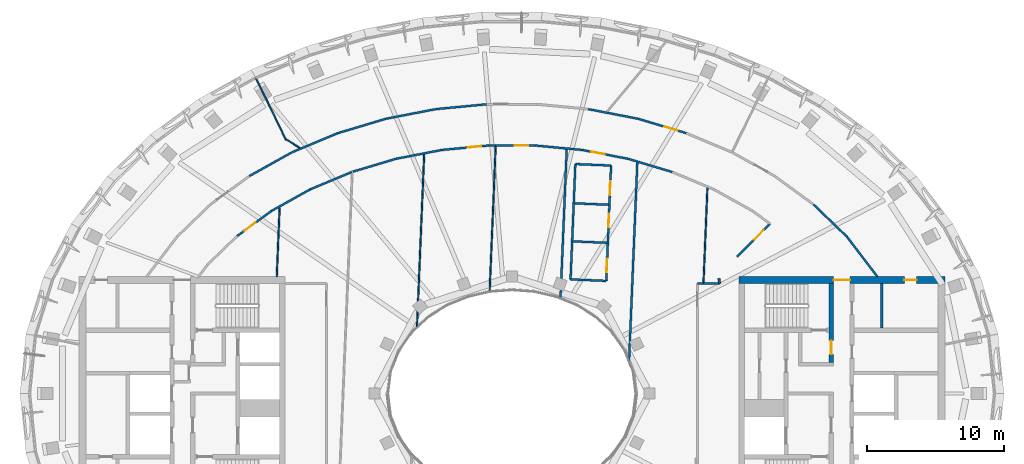
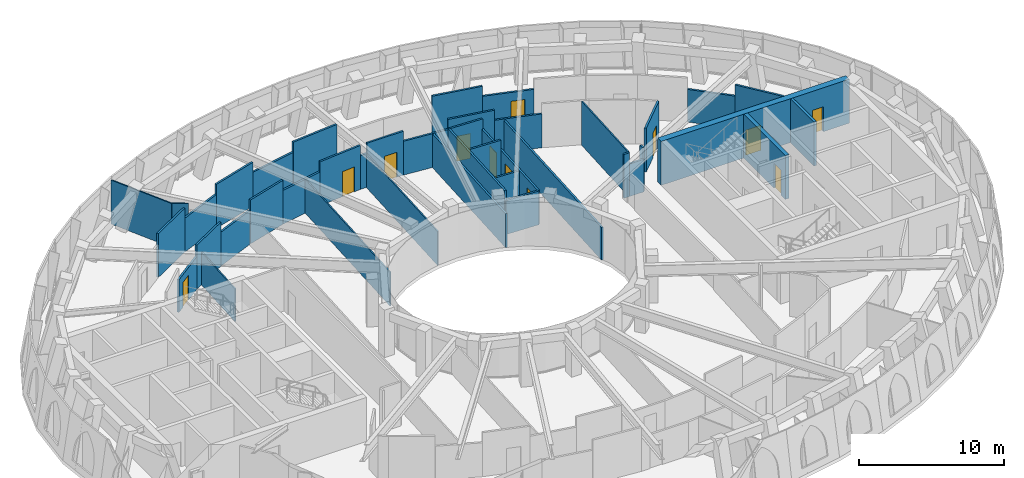
# One storey, part 6 of 14: 41 walls, 12 doors, 12 openings.
"""IFC4 building model written with IfcOpenShell, lengths in metres."""

from ifc_helpers import new_model, si_unit, direction, frame, frame_2d, origin, place, context, subcontext, project, spatial, rectangle, extrude, material, layer, layer_set, type_object, element, fill, save


model = new_model("IFC4")

# Units and contexts
model_context = context("Model", 3, precision=1e-05, world=origin(), true_north=direction((0.0, 1.0)))
body_context = subcontext(model_context, "Body", "Model", "MODEL_VIEW")
ifc_project = project(units=[si_unit("LENGTHUNIT", "METRE"), si_unit("AREAUNIT", "SQUARE_METRE"), si_unit("VOLUMEUNIT", "CUBIC_METRE"), si_unit("PLANEANGLEUNIT", "RADIAN"), si_unit("MASSUNIT", "GRAM", prefix="KILO")], contexts=[model_context])

# Site, building, storey
site_placement = place(None, origin())
site = spatial("IfcSite", under=ifc_project, at=site_placement, CompositionType="ELEMENT")
building_placement = place(site_placement, origin())
building = spatial("IfcBuilding", under=site, at=building_placement, Name="Noorbagh Ring Tower", CompositionType="ELEMENT")
storey_placement = place(building_placement, frame((0.0, 0.0, 335.0)))
storey = spatial("IfcBuildingStorey", under=building, at=storey_placement, Name="L73", CompositionType="ELEMENT", Elevation=335.0)

# Wall
ifc_material_1 = material(Name="Gypsum board on steel studs", Category="steel")
ifc_layer_1 = layer(ifc_material_1, 0.199951171875)
ifc_layer_set_1 = layer_set([ifc_layer_1], Name="Gypsum board on steel studs")
wall_type_1 = type_object("IfcWallType", Name="CORE-PARTITION-200", PredefinedType="PARTITIONING", material=ifc_layer_set_1)
wall_1_placement = place(storey_placement, frame((26.89990234375, 4.75, 0.0), z_axis=(0.0, 0.0, 1.0), x_axis=(0.0, 1.0, 0.0)))
element("IfcWall", 1, at=wall_1_placement, inside=storey, type_object=wall_type_1, Name="Core partition E", PredefinedType="PARTITIONING", context=body_context, shape_type="SweptSolid", body=[
    extrude(rectangle(XDim=3.25, YDim=0.199951171875, at=frame_2d((1.625, 0.0))), origin(), (0.0, 0.0, 1.0), 3.699951171875),
])

# Wall, opening, door
ifc_material_2 = material(Name="Concrete C50/60", Category="concrete")
ifc_layer_2 = layer(ifc_material_2, 0.300048828125)
ifc_layer_set_2 = layer_set([ifc_layer_2], Name="Concrete C50/60")
wall_type_2 = type_object("IfcWallType", Name="CORE-WALL-300-C50-60-EI240", PredefinedType="SHEAR", material=ifc_layer_set_2)
wall_2_placement = place(storey_placement, frame((23.22998046875, 2.25, 0.0), z_axis=(0.0, 0.0, 1.0), x_axis=(0.0, 1.0, 0.0)))
wall_2 = element("IfcWall", 2, at=wall_2_placement, inside=storey, type_object=wall_type_2, Name="Core wall E", PredefinedType="SHEAR", context=body_context, shape_type="SweptSolid", body=[
    extrude(rectangle(XDim=5.75, YDim=0.300048828125, at=frame_2d((2.875, 0.0))), origin(), (0.0, 0.0, 1.0), 3.699951171875),
])
opening_1_placement = place(wall_2_placement, frame((0.60009765625, 0.0, 0.0)))
opening_1 = element("IfcOpeningElement", 3, at=opening_1_placement, cuts=wall_2, Name="Opening L73-CE07", PredefinedType="OPENING", context=body_context, shape_type="SweptSolid", body=[
    extrude(rectangle(XDim=1.0, YDim=2.10009765625, at=frame_2d((0.5, 1.050048828125))), frame((0.0, 0.16015625, 0.0), z_axis=(0.0, -1.0, 0.0), x_axis=(1.0, 0.0, 0.0)), (0.0, 0.0, 1.0), 0.320068359375),
])
ifc_material_3 = material(Name="Steel door leaf", Category="steel")
door_type_1 = type_object("IfcDoorType", Name="CORE-DOOR-DVEST", OperationType="SINGLE_SWING_LEFT", PredefinedType="DOOR", material=ifc_material_3)
door_1_placement = place(opening_1_placement, origin())
door_1 = element("IfcDoor", 4, at=door_1_placement, inside=storey, type_object=door_type_1, Name="Stair vestibule door L73-CE07", OperationType="SINGLE_SWING_RIGHT", OverallHeight=2.10009765625, OverallWidth=1.0, PredefinedType="DOOR", context=body_context, shape_type="SweptSolid", body=[
    extrude(rectangle(XDim=1.0, YDim=2.10009765625, at=frame_2d((0.5, 1.050048828125))), frame((0.0, 0.02490234375, 0.0), z_axis=(0.0, -1.0, 0.0), x_axis=(1.0, 0.0, 0.0)), (0.0, 0.0, 1.0), 0.050048828125),
])
fill(opening_1, door_1)

# Wall, openings, doors
ifc_material_4 = material(Name="Concrete C50/60", Category="concrete")
ifc_layer_3 = layer(ifc_material_4, 0.5)
ifc_layer_set_3 = layer_set([ifc_layer_3], Name="Concrete C50/60")
wall_type_3 = type_object("IfcWallType", Name="CORE-WALL-500-C50-60-EI240", PredefinedType="SHEAR", material=ifc_layer_set_3)
wall_3_placement = place(storey_placement, frame((16.5, 8.25, 0.0), z_axis=(0.0, 0.0, 1.0), x_axis=(1.0, 0.0, 0.0)))
wall_3 = element("IfcWall", 5, at=wall_3_placement, inside=storey, type_object=wall_type_3, Name="Core wall E", PredefinedType="SHEAR", context=body_context, shape_type="SweptSolid", body=[
    extrude(rectangle(XDim=15.0, YDim=0.5, at=frame_2d((7.5, 0.0))), origin(), (0.0, 0.0, 1.0), 3.699951171875),
])
opening_2_placement = place(wall_3_placement, frame((6.89990234375, 0.0, 0.0)))
opening_2 = element("IfcOpeningElement", 6, at=opening_2_placement, cuts=wall_3, Name="Opening L73-CE08", PredefinedType="OPENING", context=body_context, shape_type="SweptSolid", body=[
    extrude(rectangle(XDim=1.199951171875, YDim=2.10009765625, at=frame_2d((0.60009765625, 1.050048828125))), frame((0.0, 0.260009765625, 0.0), z_axis=(0.0, -1.0, 0.0), x_axis=(1.0, 0.0, 0.0)), (0.0, 0.0, 1.0), 0.52001953125),
])
opening_3_placement = place(wall_3_placement, frame((12.050048828125, 0.0, 0.0)))
opening_3 = element("IfcOpeningElement", 7, at=opening_3_placement, cuts=wall_3, Name="Opening L73-CE14", PredefinedType="OPENING", context=body_context, shape_type="SweptSolid", body=[
    extrude(rectangle(XDim=0.89990234375, YDim=2.10009765625, at=frame_2d((0.449951171875, 1.050048828125))), frame((0.0, 0.260009765625, 0.0), z_axis=(0.0, -1.0, 0.0), x_axis=(1.0, 0.0, 0.0)), (0.0, 0.0, 1.0), 0.52001953125),
])
ifc_material_5 = material(Name="Steel door leaf", Category="steel")
door_type_2 = type_object("IfcDoorType", Name="CORE-DOOR-DROOM", OperationType="SINGLE_SWING_LEFT", PredefinedType="DOOR", material=ifc_material_5)
door_2_placement = place(opening_3_placement, origin())
door_2 = element("IfcDoor", 8, at=door_2_placement, inside=storey, type_object=door_type_2, Name="Core room door L73-CE14", OperationType="SINGLE_SWING_LEFT", OverallHeight=2.10009765625, OverallWidth=0.89990234375, PredefinedType="DOOR", context=body_context, shape_type="SweptSolid", body=[
    extrude(rectangle(XDim=0.89990234375, YDim=2.10009765625, at=frame_2d((0.449951171875, 1.050048828125))), frame((0.0, 0.02490234375, 0.0), z_axis=(0.0, -1.0, 0.0), x_axis=(1.0, 0.0, 0.0)), (0.0, 0.0, 1.0), 0.050048828125),
])
fill(opening_3, door_2)
ifc_material_6 = material(Name="Steel door leaf", Category="steel")
door_type_3 = type_object("IfcDoorType", Name="CORE-DOOR-PORT", OperationType="DOUBLE_DOOR_DOUBLE_SWING", PredefinedType="DOOR", material=ifc_material_6)
door_3_placement = place(opening_2_placement, origin())
door_3 = element("IfcDoor", 9, at=door_3_placement, inside=storey, type_object=door_type_3, Name="Core entrance door L73-CE08", OperationType="DOUBLE_DOOR_DOUBLE_SWING", OverallHeight=2.10009765625, OverallWidth=1.199951171875, PredefinedType="DOOR", context=body_context, shape_type="SweptSolid", body=[
    extrude(rectangle(XDim=1.199951171875, YDim=2.10009765625, at=frame_2d((0.60009765625, 1.050048828125))), frame((0.0, 0.02490234375, 0.0), z_axis=(0.0, -1.0, 0.0), x_axis=(1.0, 0.0, 0.0)), (0.0, 0.0, 1.0), 0.050048828125),
])
fill(opening_2, door_3)

# Wall, opening, door
ifc_material_7 = material(Name="Gypsum board on steel studs", Category="steel")
ifc_layer_4 = layer(ifc_material_7, 0.14990234375)
ifc_layer_set_4 = layer_set([ifc_layer_4], Name="Gypsum board on steel studs")
wall_type_4 = type_object("IfcWallType", Name="CORRIDOR PARTITION 150 EI 30", PredefinedType="PARTITIONING", material=ifc_layer_set_4)
wall_4_placement = place(storey_placement, frame((-19.9951171875, 11.45703125, 0.0), z_axis=(0.0, 0.0, 1.0), x_axis=(0.806983588604, 0.590573863055, 0.0)))
wall_4 = element("IfcWall", 10, at=wall_4_placement, inside=storey, type_object=wall_type_4, Name="L73/wall/P11", PredefinedType="PARTITIONING", context=body_context, shape_type="SweptSolid", body=[
    extrude(rectangle(XDim=3.0966796875, YDim=0.14990234375, at=frame_2d((1.54833984375, 0.0))), origin(), (0.0, 0.0, 1.0), 2.75),
])
opening_4_placement = place(wall_4_placement, frame((0.64990234375, 0.0, 0.0)))
opening_4 = element("IfcOpeningElement", 11, at=opening_4_placement, cuts=wall_4, Name="Opening D1", PredefinedType="OPENING", context=body_context, shape_type="SweptSolid", body=[
    extrude(rectangle(XDim=1.0, YDim=2.10009765625, at=frame_2d((0.5, 1.050048828125))), frame((0.0, 0.0849609375, 0.0), z_axis=(0.0, -1.0, 0.0), x_axis=(1.0, 0.0, 0.0)), (0.0, 0.0, 1.0), 0.169921875),
])
ifc_material_8 = material(Name="Timber, painted", Category="wood")
door_type_4 = type_object("IfcDoorType", Name="DOOR 1000 X 2100 FD30", OperationType="SINGLE_SWING_LEFT", PredefinedType="DOOR", material=ifc_material_8)
door_4_placement = place(opening_4_placement, origin())
door_4 = element("IfcDoor", 12, at=door_4_placement, inside=storey, type_object=door_type_4, Name="L73-D15", OperationType="SINGLE_SWING_LEFT", OverallHeight=2.10009765625, OverallWidth=1.0, PredefinedType="DOOR", context=body_context, shape_type="SweptSolid", body=[
    extrude(rectangle(XDim=1.0, YDim=2.10009765625, at=frame_2d((0.5, 1.050048828125))), frame((0.0, 0.02490234375, 0.0), z_axis=(0.0, -1.0, 0.0), x_axis=(1.0, 0.0, 0.0)), (0.0, 0.0, 1.0), 0.050048828125),
])
fill(opening_4, door_4)

# Walls
wall_5_placement = place(storey_placement, frame((-19.118896484375, 15.81591796875, 0.0), z_axis=(0.0, 0.0, 1.0), x_axis=(0.8733245988, 0.487138732941, 0.0)))
element("IfcWall", 13, at=wall_5_placement, inside=storey, type_object=wall_type_4, Name="L73/wall/P13", PredefinedType="PARTITIONING", context=body_context, shape_type="SweptSolid", body=[
    extrude(rectangle(XDim=3.559814453125, YDim=0.14990234375, at=frame_2d((1.77978515625, 0.0))), origin(), (0.0, 0.0, 1.0), 3.699951171875),
])
wall_6_placement = place(storey_placement, frame((-17.49609375, 13.285888671875, 0.0), z_axis=(0.0, 0.0, 1.0), x_axis=(0.873362004831, 0.487071666715, 0.0)))
element("IfcWall", 14, at=wall_6_placement, inside=storey, type_object=wall_type_4, Name="L73/wall/P19", PredefinedType="PARTITIONING", context=body_context, shape_type="SweptSolid", body=[
    extrude(rectangle(XDim=3.204833984375, YDim=0.14990234375, at=frame_2d((1.6025390625, 0.0))), origin(), (0.0, 0.0, 1.0), 3.699951171875),
])
wall_7_placement = place(storey_placement, frame((-15.990966796875, 17.55810546875, 0.0), z_axis=(0.0, 0.0, 1.0), x_axis=(0.922767346679, 0.385357527372, 0.0)))
element("IfcWall", 15, at=wall_7_placement, inside=storey, type_object=wall_type_4, Name="L73/wall/P24", PredefinedType="PARTITIONING", context=body_context, shape_type="SweptSolid", body=[
    extrude(rectangle(XDim=3.5966796875, YDim=0.14990234375, at=frame_2d((1.79833984375, 0.0))), origin(), (0.0, 0.0, 1.0), 2.85009765625),
])
wall_8_placement = place(storey_placement, frame((-14.697021484375, 14.846923828125, 0.0), z_axis=(0.0, 0.0, 1.0), x_axis=(0.922751694148, 0.385395006385, 0.0)))
element("IfcWall", 16, at=wall_8_placement, inside=storey, type_object=wall_type_4, Name="L73/wall/P29", PredefinedType="PARTITIONING", context=body_context, shape_type="SweptSolid", body=[
    extrude(rectangle(XDim=3.290283203125, YDim=0.14990234375, at=frame_2d((1.64501953125, 0.0))), origin(), (0.0, 0.0, 1.0), 2.85009765625),
])
wall_9_placement = place(storey_placement, frame((-12.672119140625, 18.944091796875, 0.0), z_axis=(0.0, 0.0, 1.0), x_axis=(0.958125074683, 0.286350032765, 0.0)))
element("IfcWall", 17, at=wall_9_placement, inside=storey, type_object=wall_type_4, Name="L73/wall/P33", PredefinedType="PARTITIONING", context=body_context, shape_type="SweptSolid", body=[
    extrude(rectangle(XDim=3.659423828125, YDim=0.14990234375, at=frame_2d((1.82958984375, 0.0))), origin(), (0.0, 0.0, 1.0), 3.699951171875),
])
wall_10_placement = place(storey_placement, frame((-11.570068359375, 16.14208984375, 0.0), z_axis=(0.0, 0.0, 1.0), x_axis=(0.958094102885, 0.28645364375, 0.0)))
element("IfcWall", 18, at=wall_10_placement, inside=storey, type_object=wall_type_4, Name="L73/wall/P35", PredefinedType="PARTITIONING", context=body_context, shape_type="SweptSolid", body=[
    extrude(rectangle(XDim=3.256591796875, YDim=0.14990234375, at=frame_2d((1.62841796875, 0.0))), origin(), (0.0, 0.0, 1.0), 3.699951171875),
])
wall_11_placement = place(storey_placement, frame((-9.166015625, 19.991943359375, 0.0), z_axis=(0.0, 0.0, 1.0), x_axis=(0.981835168489, 0.189735874094, 0.0)))
element("IfcWall", 19, at=wall_11_placement, inside=storey, type_object=wall_type_4, Name="L73/wall/P37", PredefinedType="PARTITIONING", context=body_context, shape_type="SweptSolid", body=[
    extrude(rectangle(XDim=3.68896484375, YDim=0.14990234375, at=frame_2d((1.844482421875, 0.0))), origin(), (0.0, 0.0, 1.0), 2.85009765625),
])
wall_12_placement = place(storey_placement, frame((-8.449951171875, 17.074951171875, 0.0), z_axis=(0.0, 0.0, 1.0), x_axis=(0.981837801706, 0.189722247356, 0.0)))
element("IfcWall", 20, at=wall_12_placement, inside=storey, type_object=wall_type_4, Name="L73/wall/P39", PredefinedType="PARTITIONING", context=body_context, shape_type="SweptSolid", body=[
    extrude(rectangle(XDim=3.394775390625, YDim=0.14990234375, at=frame_2d((1.697265625, 0.0))), origin(), (0.0, 0.0, 1.0), 2.85009765625),
])
wall_13_placement = place(storey_placement, frame((-5.52392578125, 20.694091796875, 0.0), z_axis=(0.0, 0.0, 1.0), x_axis=(0.995559259594, 0.094136924932, 0.0)))
element("IfcWall", 21, at=wall_13_placement, inside=storey, type_object=wall_type_4, Name="L73/wall/P43", PredefinedType="PARTITIONING", context=body_context, shape_type="SweptSolid", body=[
    extrude(rectangle(XDim=3.685302734375, YDim=0.14990234375, at=frame_2d((1.8427734375, 0.0))), origin(), (0.0, 0.0, 1.0), 3.699951171875),
])

# Wall, opening, door
wall_14_placement = place(storey_placement, frame((-5.116943359375, 17.718994140625, 0.0), z_axis=(0.0, 0.0, 1.0), x_axis=(0.99555211454, 0.094212457962, 0.0)))
wall_14 = element("IfcWall", 22, at=wall_14_placement, inside=storey, type_object=wall_type_4, Name="L73/wall/P45", PredefinedType="PARTITIONING", context=body_context, shape_type="SweptSolid", body=[
    extrude(rectangle(XDim=3.41796875, YDim=0.14990234375, at=frame_2d((1.708984375, 0.0))), origin(), (0.0, 0.0, 1.0), 3.699951171875),
])
opening_5_placement = place(wall_14_placement, frame((1.89990234375, 0.0, 0.0)))
opening_5 = element("IfcOpeningElement", 23, at=opening_5_placement, cuts=wall_14, Name="Opening D1", PredefinedType="OPENING", context=body_context, shape_type="SweptSolid", body=[
    extrude(rectangle(XDim=1.0, YDim=2.10009765625, at=frame_2d((0.5, 1.050048828125))), frame((0.0, 0.0849609375, 0.0), z_axis=(0.0, -1.0, 0.0), x_axis=(1.0, 0.0, 0.0)), (0.0, 0.0, 1.0), 0.169921875),
])
door_5_placement = place(opening_5_placement, origin())
door_5 = element("IfcDoor", 24, at=door_5_placement, inside=storey, type_object=door_type_4, Name="L73-D18", OperationType="SINGLE_SWING_RIGHT", OverallHeight=2.10009765625, OverallWidth=1.0, PredefinedType="DOOR", context=body_context, shape_type="SweptSolid", body=[
    extrude(rectangle(XDim=1.0, YDim=2.10009765625, at=frame_2d((0.5, 1.050048828125))), frame((0.0, 0.02490234375, 0.0), z_axis=(0.0, -1.0, 0.0), x_axis=(1.0, 0.0, 0.0)), (0.0, 0.0, 1.0), 0.050048828125),
])
fill(opening_5, door_5)

# Wall
wall_15_placement = place(storey_placement, frame((-1.714111328125, 18.041015625, 0.0), z_axis=(0.0, 0.0, 1.0), x_axis=(1.0, 0.0, 0.0)))
element("IfcWall", 25, at=wall_15_placement, inside=storey, type_object=wall_type_4, Name="L73/wall/P49", PredefinedType="PARTITIONING", context=body_context, shape_type="SweptSolid", body=[
    extrude(rectangle(XDim=0.508056640625, YDim=0.14990234375, at=frame_2d((0.25390625, 0.0))), origin(), (0.0, 0.0, 1.0), 2.85009765625),
])

# Wall, opening, door
wall_16_placement = place(storey_placement, frame((-1.18603515625, 18.041015625, 0.0), z_axis=(0.0, 0.0, 1.0), x_axis=(1.0, 0.0, 0.0)))
wall_16 = element("IfcWall", 26, at=wall_16_placement, inside=storey, type_object=wall_type_4, Name="L73/wall/P51", PredefinedType="PARTITIONING", context=body_context, shape_type="SweptSolid", body=[
    extrude(rectangle(XDim=2.900146484375, YDim=0.14990234375, at=frame_2d((1.4501953125, 0.0))), origin(), (0.0, 0.0, 1.0), 3.699951171875),
])
opening_6_placement = place(wall_16_placement, frame((1.3798828125, 0.0, 0.0)))
opening_6 = element("IfcOpeningElement", 27, at=opening_6_placement, cuts=wall_16, Name="Opening D1", PredefinedType="OPENING", context=body_context, shape_type="SweptSolid", body=[
    extrude(rectangle(XDim=1.0, YDim=2.10009765625, at=frame_2d((0.5, 1.050048828125))), frame((0.0, 0.0849609375, 0.0), z_axis=(0.0, -1.0, 0.0), x_axis=(1.0, 0.0, 0.0)), (0.0, 0.0, 1.0), 0.169921875),
])
door_6_placement = place(opening_6_placement, origin())
door_6 = element("IfcDoor", 28, at=door_6_placement, inside=storey, type_object=door_type_4, Name="L73-D20", OperationType="SINGLE_SWING_RIGHT", OverallHeight=2.10009765625, OverallWidth=1.0, PredefinedType="DOOR", context=body_context, shape_type="SweptSolid", body=[
    extrude(rectangle(XDim=1.0, YDim=2.10009765625, at=frame_2d((0.5, 1.050048828125))), frame((0.0, 0.02490234375, 0.0), z_axis=(0.0, -1.0, 0.0), x_axis=(1.0, 0.0, 0.0)), (0.0, 0.0, 1.0), 0.050048828125),
])
fill(opening_6, door_6)

# Walls
wall_17_placement = place(storey_placement, frame((1.714111328125, 18.041015625, 0.0), z_axis=(0.0, 0.0, 1.0), x_axis=(0.99555211454, -0.094212457962, 0.0)))
element("IfcWall", 29, at=wall_17_placement, inside=storey, type_object=wall_type_4, Name="L73/wall/P53", PredefinedType="PARTITIONING", context=body_context, shape_type="SweptSolid", body=[
    extrude(rectangle(XDim=3.41796875, YDim=0.14990234375, at=frame_2d((1.708984375, 0.0))), origin(), (0.0, 0.0, 1.0), 2.85009765625),
])
wall_18_placement = place(storey_placement, frame((3.527099609375, 6.876953125, 0.0), z_axis=(0.0, 0.0, 1.0), x_axis=(0.041611883534, 0.999133850467, 0.0)))
element("IfcWall", 30, at=wall_18_placement, inside=storey, type_object=wall_type_4, Name="L73/wall/P58", PredefinedType="PARTITIONING", context=body_context, shape_type="SweptSolid", body=[
    extrude(rectangle(XDim=10.883544921875, YDim=0.14990234375, at=frame_2d((5.44189453125, 0.0))), origin(), (0.0, 0.0, 1.0), 2.85009765625),
])
wall_19_placement = place(storey_placement, frame((4.260009765625, 8.301025390625, 0.0), z_axis=(0.0, 0.0, 1.0), x_axis=(0.999118858094, -0.041970315719, 0.0)))
element("IfcWall", 31, at=wall_19_placement, inside=storey, type_object=wall_type_4, Name="L73/wall/P59", PredefinedType="PARTITIONING", context=body_context, shape_type="SweptSolid", body=[
    extrude(rectangle(XDim=2.60009765625, YDim=0.14990234375, at=frame_2d((1.300048828125, 0.0))), origin(), (0.0, 0.0, 1.0), 2.85009765625),
])
wall_20_placement = place(storey_placement, frame((4.260986328125, 8.301025390625, 0.0), z_axis=(0.0, 0.0, 1.0), x_axis=(0.041676481487, 0.999131158002, 0.0)))
element("IfcWall", 32, at=wall_20_placement, inside=storey, type_object=wall_type_4, Name="L73/wall/P60", PredefinedType="PARTITIONING", context=body_context, shape_type="SweptSolid", body=[
    extrude(rectangle(XDim=8.400390625, YDim=0.14990234375, at=frame_2d((4.2001953125, 0.0))), origin(), (0.0, 0.0, 1.0), 3.699951171875),
])
wall_21_placement = place(storey_placement, frame((4.450927734375, 11.068115234375, 0.0), z_axis=(0.0, 0.0, 1.0), x_axis=(0.999115543644, -0.042049143255, 0.0)))
element("IfcWall", 33, at=wall_21_placement, inside=storey, type_object=wall_type_4, Name="L73/wall/P61", PredefinedType="PARTITIONING", context=body_context, shape_type="SweptSolid", body=[
    extrude(rectangle(XDim=2.4501953125, YDim=0.14990234375, at=frame_2d((1.22509765625, 0.0))), origin(), (0.0, 0.0, 1.0), 2.85009765625),
])
wall_22_placement = place(storey_placement, frame((4.56689453125, 13.8369140625, 0.0), z_axis=(0.0, 0.0, 1.0), x_axis=(0.999135662603, -0.041568349926, 0.0)))
element("IfcWall", 34, at=wall_22_placement, inside=storey, type_object=wall_type_4, Name="L73/wall/P62", PredefinedType="PARTITIONING", context=body_context, shape_type="SweptSolid", body=[
    extrude(rectangle(XDim=2.44921875, YDim=0.14990234375, at=frame_2d((1.224609375, 0.0))), origin(), (0.0, 0.0, 1.0), 3.699951171875),
])
wall_23_placement = place(storey_placement, frame((4.611083984375, 16.693115234375, 0.0), z_axis=(0.0, 0.0, 1.0), x_axis=(0.999133886853, -0.04161100986, 0.0)))
element("IfcWall", 35, at=wall_23_placement, inside=storey, type_object=wall_type_4, Name="L73/wall/P63", PredefinedType="PARTITIONING", context=body_context, shape_type="SweptSolid", body=[
    extrude(rectangle(XDim=2.59912109375, YDim=0.14990234375, at=frame_2d((1.299560546875, 0.0))), origin(), (0.0, 0.0, 1.0), 3.699951171875),
])

# Wall, opening, door
wall_24_placement = place(storey_placement, frame((5.116943359375, 17.718994140625, 0.0), z_axis=(0.0, 0.0, 1.0), x_axis=(0.981837801706, -0.189722247356, 0.0)))
wall_24 = element("IfcWall", 36, at=wall_24_placement, inside=storey, type_object=wall_type_4, Name="L73/wall/P65", PredefinedType="PARTITIONING", context=body_context, shape_type="SweptSolid", body=[
    extrude(rectangle(XDim=3.394775390625, YDim=0.14990234375, at=frame_2d((1.697265625, 0.0))), origin(), (0.0, 0.0, 1.0), 3.699951171875),
])
opening_7_placement = place(wall_24_placement, frame((0.64990234375, 0.0, 0.0)))
opening_7 = element("IfcOpeningElement", 37, at=opening_7_placement, cuts=wall_24, Name="Opening D1", PredefinedType="OPENING", context=body_context, shape_type="SweptSolid", body=[
    extrude(rectangle(XDim=1.0, YDim=2.10009765625, at=frame_2d((0.5, 1.050048828125))), frame((0.0, 0.0849609375, 0.0), z_axis=(0.0, -1.0, 0.0), x_axis=(1.0, 0.0, 0.0)), (0.0, 0.0, 1.0), 0.169921875),
])
door_7_placement = place(opening_7_placement, origin())
door_7 = element("IfcDoor", 38, at=door_7_placement, inside=storey, type_object=door_type_4, Name="L73-D01", OperationType="SINGLE_SWING_LEFT", OverallHeight=2.10009765625, OverallWidth=1.0, PredefinedType="DOOR", context=body_context, shape_type="SweptSolid", body=[
    extrude(rectangle(XDim=1.0, YDim=2.10009765625, at=frame_2d((0.5, 1.050048828125))), frame((0.0, 0.02490234375, 0.0), z_axis=(0.0, -1.0, 0.0), x_axis=(1.0, 0.0, 0.0)), (0.0, 0.0, 1.0), 0.050048828125),
])
fill(opening_7, door_7)

# Wall
wall_25_placement = place(storey_placement, frame((5.5439453125, 20.69189453125, 0.0), z_axis=(0.0, 0.0, 1.0), x_axis=(0.981835168489, -0.189735874094, 0.0)))
element("IfcWall", 39, at=wall_25_placement, inside=storey, type_object=wall_type_4, Name="L73/wall/P67", PredefinedType="PARTITIONING", context=body_context, shape_type="SweptSolid", body=[
    extrude(rectangle(XDim=3.68896484375, YDim=0.14990234375, at=frame_2d((1.844482421875, 0.0))), origin(), (0.0, 0.0, 1.0), 3.699951171875),
])

# Wall, openings, doors
wall_26_placement = place(storey_placement, frame((6.85791015625, 8.19189453125, 0.0), z_axis=(0.0, 0.0, 1.0), x_axis=(0.04179253111, 0.999126310505, 0.0)))
wall_26 = element("IfcWall", 40, at=wall_26_placement, inside=storey, type_object=wall_type_4, Name="L73/wall/P69", PredefinedType="PARTITIONING", context=body_context, shape_type="SweptSolid", body=[
    extrude(rectangle(XDim=8.400390625, YDim=0.14990234375, at=frame_2d((4.2001953125, 0.0))), origin(), (0.0, 0.0, 1.0), 2.85009765625),
])
opening_8_placement = place(wall_26_placement, frame((6.250244140625, 0.0, 0.0)))
opening_8 = element("IfcOpeningElement", 41, at=opening_8_placement, cuts=wall_26, Name="Opening D3", PredefinedType="OPENING", context=body_context, shape_type="SweptSolid", body=[
    extrude(rectangle(XDim=1.0, YDim=2.10009765625, at=frame_2d((0.5, 1.050048828125))), frame((0.0, 0.0849609375, 0.0), z_axis=(0.0, -1.0, 0.0), x_axis=(1.0, 0.0, 0.0)), (0.0, 0.0, 1.0), 0.169921875),
])
opening_9_placement = place(wall_26_placement, frame((3.894775390625, 0.0, 0.0)))
opening_9 = element("IfcOpeningElement", 42, at=opening_9_placement, cuts=wall_26, Name="Opening D3", PredefinedType="OPENING", context=body_context, shape_type="SweptSolid", body=[
    extrude(rectangle(XDim=1.0, YDim=2.10009765625, at=frame_2d((0.5, 1.050048828125))), frame((0.0, 0.0849609375, 0.0), z_axis=(0.0, -1.0, 0.0), x_axis=(1.0, 0.0, 0.0)), (0.0, 0.0, 1.0), 0.169921875),
])
opening_10_placement = place(wall_26_placement, frame((0.622314453125, 0.0, 0.0)))
opening_10 = element("IfcOpeningElement", 43, at=opening_10_placement, cuts=wall_26, Name="Opening D3", PredefinedType="OPENING", context=body_context, shape_type="SweptSolid", body=[
    extrude(rectangle(XDim=1.0, YDim=2.10009765625, at=frame_2d((0.5, 1.050048828125))), frame((0.0, 0.0849609375, 0.0), z_axis=(0.0, -1.0, 0.0), x_axis=(1.0, 0.0, 0.0)), (0.0, 0.0, 1.0), 0.169921875),
])
ifc_material_9 = material(Name="Timber, painted", Category="wood")
door_type_5 = type_object("IfcDoorType", Name="DOOR 1000 X 2100 WC", OperationType="SINGLE_SWING_LEFT", PredefinedType="DOOR", material=ifc_material_9)
door_8_placement = place(opening_8_placement, origin())
door_8 = element("IfcDoor", 44, at=door_8_placement, inside=storey, type_object=door_type_5, Name="L73-D02", OperationType="SINGLE_SWING_RIGHT", OverallHeight=2.10009765625, OverallWidth=1.0, PredefinedType="DOOR", context=body_context, shape_type="SweptSolid", body=[
    extrude(rectangle(XDim=1.0, YDim=2.10009765625, at=frame_2d((0.5, 1.050048828125))), frame((0.0, 0.02490234375, 0.0), z_axis=(0.0, -1.0, 0.0), x_axis=(1.0, 0.0, 0.0)), (0.0, 0.0, 1.0), 0.050048828125),
])
fill(opening_8, door_8)
door_9_placement = place(opening_9_placement, origin())
door_9 = element("IfcDoor", 45, at=door_9_placement, inside=storey, type_object=door_type_5, Name="L73-D03", OperationType="SINGLE_SWING_LEFT", OverallHeight=2.10009765625, OverallWidth=1.0, PredefinedType="DOOR", context=body_context, shape_type="SweptSolid", body=[
    extrude(rectangle(XDim=1.0, YDim=2.10009765625, at=frame_2d((0.5, 1.050048828125))), frame((0.0, 0.02490234375, 0.0), z_axis=(0.0, -1.0, 0.0), x_axis=(1.0, 0.0, 0.0)), (0.0, 0.0, 1.0), 0.050048828125),
])
fill(opening_9, door_9)
door_10_placement = place(opening_10_placement, origin())
door_10 = element("IfcDoor", 46, at=door_10_placement, inside=storey, type_object=door_type_5, Name="L73-D04", OperationType="SINGLE_SWING_RIGHT", OverallHeight=2.10009765625, OverallWidth=1.0, PredefinedType="DOOR", context=body_context, shape_type="SweptSolid", body=[
    extrude(rectangle(XDim=1.0, YDim=2.10009765625, at=frame_2d((0.5, 1.050048828125))), frame((0.0, 0.02490234375, 0.0), z_axis=(0.0, -1.0, 0.0), x_axis=(1.0, 0.0, 0.0)), (0.0, 0.0, 1.0), 0.050048828125),
])
fill(opening_10, door_10)

# Walls
wall_27_placement = place(storey_placement, frame((8.449951171875, 17.074951171875, 0.0), z_axis=(0.0, 0.0, 1.0), x_axis=(0.958098533174, -0.286438825459, 0.0)))
element("IfcWall", 47, at=wall_27_placement, inside=storey, type_object=wall_type_4, Name="L73/wall/P71", PredefinedType="PARTITIONING", context=body_context, shape_type="SweptSolid", body=[
    extrude(rectangle(XDim=3.351318359375, YDim=0.14990234375, at=frame_2d((1.67578125, 0.0))), origin(), (0.0, 0.0, 1.0), 2.85009765625),
])
wall_28_placement = place(storey_placement, frame((8.512939453125, 2.280029296875, 0.0), z_axis=(0.0, 0.0, 1.0), x_axis=(0.041704628487, 0.999129983517, 0.0)))
element("IfcWall", 48, at=wall_28_placement, inside=storey, type_object=wall_type_4, Name="L73/wall/P72", PredefinedType="PARTITIONING", context=body_context, shape_type="SweptSolid", body=[
    extrude(rectangle(XDim=14.52978515625, YDim=0.14990234375, at=frame_2d((7.264892578125, 0.0))), origin(), (0.0, 0.0, 1.0), 2.75),
])

# Wall, opening, door
wall_29_placement = place(storey_placement, frame((9.166015625, 19.991943359375, 0.0), z_axis=(0.0, 0.0, 1.0), x_axis=(0.958125074683, -0.286350032765, 0.0)))
wall_29 = element("IfcWall", 49, at=wall_29_placement, inside=storey, type_object=wall_type_4, Name="L73/wall/P74", PredefinedType="PARTITIONING", context=body_context, shape_type="SweptSolid", body=[
    extrude(rectangle(XDim=3.659423828125, YDim=0.14990234375, at=frame_2d((1.82958984375, 0.0))), origin(), (0.0, 0.0, 1.0), 2.85009765625),
])
opening_11_placement = place(wall_29_placement, frame((2.00927734375, 0.0, 0.0)))
opening_11 = element("IfcOpeningElement", 50, at=opening_11_placement, cuts=wall_29, Name="Opening D1", PredefinedType="OPENING", context=body_context, shape_type="SweptSolid", body=[
    extrude(rectangle(XDim=1.0, YDim=2.10009765625, at=frame_2d((0.5, 1.050048828125))), frame((0.0, 0.0849609375, 0.0), z_axis=(0.0, -1.0, 0.0), x_axis=(1.0, 0.0, 0.0)), (0.0, 0.0, 1.0), 0.169921875),
])
door_11_placement = place(opening_11_placement, origin())
door_11 = element("IfcDoor", 51, at=door_11_placement, inside=storey, type_object=door_type_4, Name="L73-D11", OperationType="SINGLE_SWING_LEFT", OverallHeight=2.10009765625, OverallWidth=1.0, PredefinedType="DOOR", context=body_context, shape_type="SweptSolid", body=[
    extrude(rectangle(XDim=1.0, YDim=2.10009765625, at=frame_2d((0.5, 1.050048828125))), frame((0.0, 0.02490234375, 0.0), z_axis=(0.0, -1.0, 0.0), x_axis=(1.0, 0.0, 0.0)), (0.0, 0.0, 1.0), 0.050048828125),
])
fill(opening_11, door_11)

# Walls
wall_30_placement = place(storey_placement, frame((13.5, 8.0, 0.0), z_axis=(0.0, 0.0, 1.0), x_axis=(1.0, 0.0, 0.0)))
element("IfcWall", 52, at=wall_30_placement, inside=storey, type_object=wall_type_4, Name="L73/wall/P83", PredefinedType="PARTITIONING", context=body_context, shape_type="SweptSolid", body=[
    extrude(rectangle(XDim=0.429931640625, YDim=0.14990234375, at=frame_2d((0.21484375, 0.0))), origin(), (0.0, 0.0, 1.0), 3.699951171875),
])
wall_31_placement = place(storey_placement, frame((13.949951171875, 8.0, 0.0), z_axis=(0.0, 0.0, 1.0), x_axis=(1.0, 0.0, 0.0)))
element("IfcWall", 53, at=wall_31_placement, inside=storey, type_object=wall_type_4, Name="L73/wall/P85", PredefinedType="PARTITIONING", context=body_context, shape_type="SweptSolid", body=[
    extrude(rectangle(XDim=1.16015625, YDim=0.14990234375, at=frame_2d((0.580078125, 0.0))), origin(), (0.0, 0.0, 1.0), 2.75),
])
wall_32_placement = place(storey_placement, frame((15.056884765625, 8.35791015625, 0.0), z_axis=(0.0, 0.0, 1.0), x_axis=(0.147086595442, -0.989123618888, 0.0)))
element("IfcWall", 54, at=wall_32_placement, inside=storey, type_object=wall_type_4, Name="L73/wall/P89", PredefinedType="PARTITIONING", context=body_context, shape_type="SweptSolid", body=[
    extrude(rectangle(XDim=0.36181640625, YDim=0.14990234375, at=frame_2d((0.180908203125, 0.0))), origin(), (0.0, 0.0, 1.0), 3.699951171875),
])

# Wall, opening, door
wall_33_placement = place(storey_placement, frame((16.362060546875, 9.944091796875, 0.0), z_axis=(0.0, 0.0, 1.0), x_axis=(0.707106781187, 0.707106781187, 0.0)))
wall_33 = element("IfcWall", 55, at=wall_33_placement, inside=storey, type_object=wall_type_4, Name="L73/wall/P94", PredefinedType="PARTITIONING", context=body_context, shape_type="SweptSolid", body=[
    extrude(rectangle(XDim=3.40673828125, YDim=0.14990234375, at=frame_2d((1.703369140625, 0.0))), origin(), (0.0, 0.0, 1.0), 3.699951171875),
])
opening_12_placement = place(wall_33_placement, frame((1.7568359375, 0.0, 0.0)))
opening_12 = element("IfcOpeningElement", 56, at=opening_12_placement, cuts=wall_33, Name="Opening D1", PredefinedType="OPENING", context=body_context, shape_type="SweptSolid", body=[
    extrude(rectangle(XDim=1.0, YDim=2.10009765625, at=frame_2d((0.5, 1.050048828125))), frame((0.0, 0.0849609375, 0.0), z_axis=(0.0, -1.0, 0.0), x_axis=(1.0, 0.0, 0.0)), (0.0, 0.0, 1.0), 0.169921875),
])
door_12_placement = place(opening_12_placement, origin())
door_12 = element("IfcDoor", 57, at=door_12_placement, inside=storey, type_object=door_type_4, Name="L73-D23", OperationType="SINGLE_SWING_LEFT", OverallHeight=2.10009765625, OverallWidth=1.0, PredefinedType="DOOR", context=body_context, shape_type="SweptSolid", body=[
    extrude(rectangle(XDim=1.0, YDim=2.10009765625, at=frame_2d((0.5, 1.050048828125))), frame((0.0, 0.02490234375, 0.0), z_axis=(0.0, -1.0, 0.0), x_axis=(1.0, 0.0, 0.0)), (0.0, 0.0, 1.0), 0.050048828125),
])
fill(opening_12, door_12)

# Walls
wall_34_placement = place(storey_placement, frame((21.931884765625, 13.758056640625, 0.0), z_axis=(0.0, 0.0, 1.0), x_axis=(0.719511758349, -0.694480258609, 0.0)))
element("IfcWall", 58, at=wall_34_placement, inside=storey, type_object=wall_type_4, Name="L73/wall/P101", PredefinedType="PARTITIONING", context=body_context, shape_type="SweptSolid", body=[
    extrude(rectangle(XDim=3.39404296875, YDim=0.14990234375, at=frame_2d((1.697021484375, 0.0))), origin(), (0.0, 0.0, 1.0), 2.75),
])
wall_35_placement = place(storey_placement, frame((24.3740234375, 11.40087890625, 0.0), z_axis=(0.0, 0.0, 1.0), x_axis=(0.606510838275, -0.795075218489, 0.0)))
element("IfcWall", 59, at=wall_35_placement, inside=storey, type_object=wall_type_4, Name="L73/wall/P103", PredefinedType="PARTITIONING", context=body_context, shape_type="SweptSolid", body=[
    extrude(rectangle(XDim=3.6484375, YDim=0.14990234375, at=frame_2d((1.82421875, 0.0))), origin(), (0.0, 0.0, 1.0), 3.699951171875),
])
ifc_material_10 = material(Name="Gypsum board on steel studs", Category="steel")
ifc_layer_5 = layer(ifc_material_10, 0.10009765625)
ifc_layer_set_5 = layer_set([ifc_layer_5], Name="Gypsum board on steel studs")
wall_type_5 = type_object("IfcWallType", Name="PARTITION 100 GYPSUM", PredefinedType="PARTITIONING", material=ifc_layer_set_5)
wall_36_placement = place(storey_placement, frame((-18.656982421875, 23.0, 0.0), z_axis=(0.0, 0.0, 1.0), x_axis=(0.436902847932, -0.899508700052, 0.0)))
element("IfcWall", 60, at=wall_36_placement, inside=storey, type_object=wall_type_5, Name="L73/wall/P14", PredefinedType="PARTITIONING", context=body_context, shape_type="SweptSolid", body=[
    extrude(rectangle(XDim=5.062744140625, YDim=0.10009765625, at=frame_2d((2.53125, 0.0))), origin(), (0.0, 0.0, 1.0), 3.699951171875),
])
wall_37_placement = place(storey_placement, frame((-17.116943359375, 8.50390625, 0.0), z_axis=(0.0, 0.0, 1.0), x_axis=(0.04159416436, 0.999134588277, 0.0)))
element("IfcWall", 61, at=wall_37_placement, inside=storey, type_object=wall_type_5, Name="L73/wall/P20", PredefinedType="PARTITIONING", context=body_context, shape_type="SweptSolid", body=[
    extrude(rectangle(XDim=5.0244140625, YDim=0.10009765625, at=frame_2d((2.51220703125, 0.0))), origin(), (0.0, 0.0, 1.0), 2.75),
])
wall_38_placement = place(storey_placement, frame((-16.406005859375, 18.48095703125, 0.0), z_axis=(0.0, 0.0, 1.0), x_axis=(0.842944987104, -0.537999766464, 0.0)))
element("IfcWall", 62, at=wall_38_placement, inside=storey, type_object=wall_type_5, Name="L73/wall/P22", PredefinedType="PARTITIONING", context=body_context, shape_type="SweptSolid", body=[
    extrude(rectangle(XDim=1.1376953125, YDim=0.10009765625, at=frame_2d((0.56884765625, 0.0))), origin(), (0.0, 0.0, 1.0), 3.699951171875),
])
wall_39_placement = place(storey_placement, frame((-6.9169921875, 4.784912109375, 0.0), z_axis=(0.0, 0.0, 1.0), x_axis=(0.041772990736, 0.999127127669, 0.0)))
element("IfcWall", 63, at=wall_39_placement, inside=storey, type_object=wall_type_5, Name="L73/wall/P41", PredefinedType="PARTITIONING", context=body_context, shape_type="SweptSolid", body=[
    extrude(rectangle(XDim=12.6181640625, YDim=0.10009765625, at=frame_2d((6.30908203125, 0.0))), origin(), (0.0, 0.0, 1.0), 2.85009765625),
])
wall_40_placement = place(storey_placement, frame((-1.6298828125, 7.3798828125, 0.0), z_axis=(0.0, 0.0, 1.0), x_axis=(0.041611503915, 0.999133866277, 0.0)))
element("IfcWall", 64, at=wall_40_placement, inside=storey, type_object=wall_type_5, Name="L73/wall/P50", PredefinedType="PARTITIONING", context=body_context, shape_type="SweptSolid", body=[
    extrude(rectangle(XDim=10.66650390625, YDim=0.10009765625, at=frame_2d((5.333251953125, 0.0))), origin(), (0.0, 0.0, 1.0), 2.85009765625),
])
wall_41_placement = place(storey_placement, frame((13.929931640625, 8.00390625, 0.0), z_axis=(0.0, 0.0, 1.0), x_axis=(0.041629087188, 0.999133133821, 0.0)))
element("IfcWall", 65, at=wall_41_placement, inside=storey, type_object=wall_type_5, Name="L73/wall/P84", PredefinedType="PARTITIONING", context=body_context, shape_type="SweptSolid", body=[
    extrude(rectangle(XDim=6.96728515625, YDim=0.10009765625, at=frame_2d((3.483642578125, 0.0))), origin(), (0.0, 0.0, 1.0), 3.699951171875),
])

save(model, "model.ifc")
